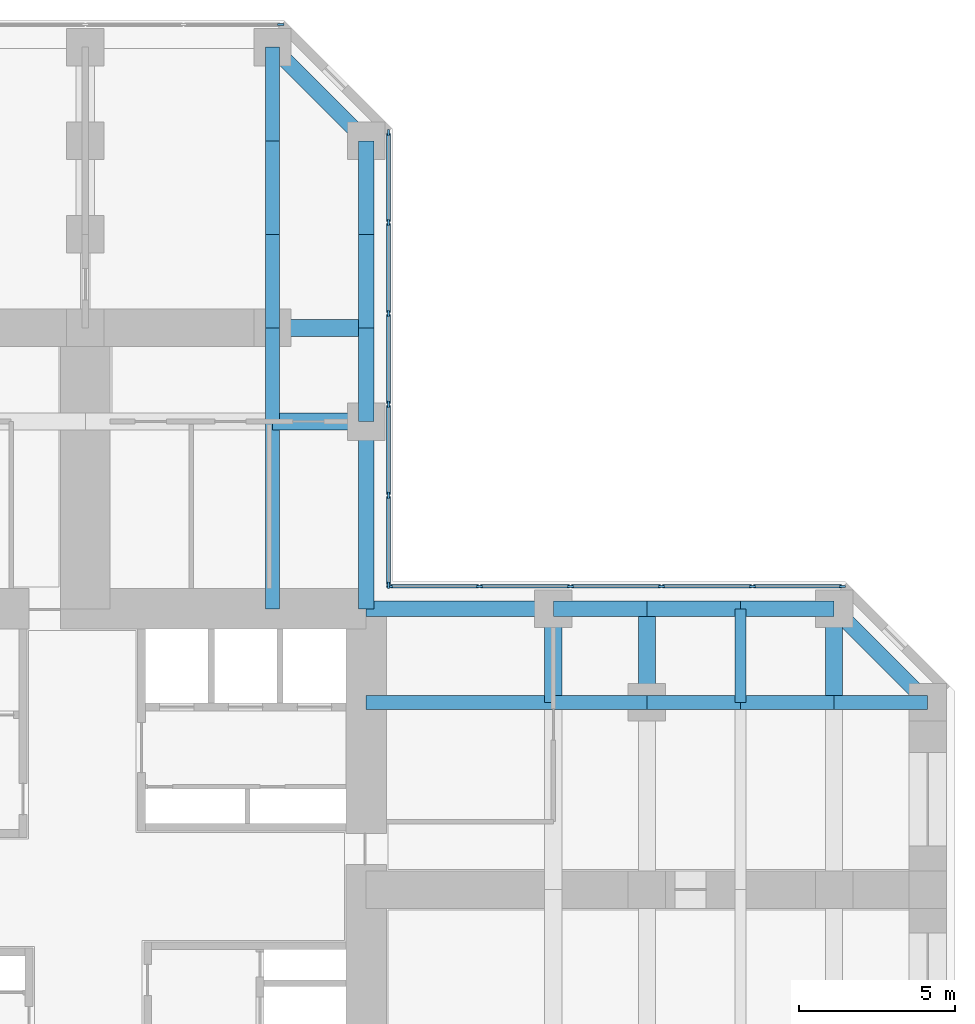
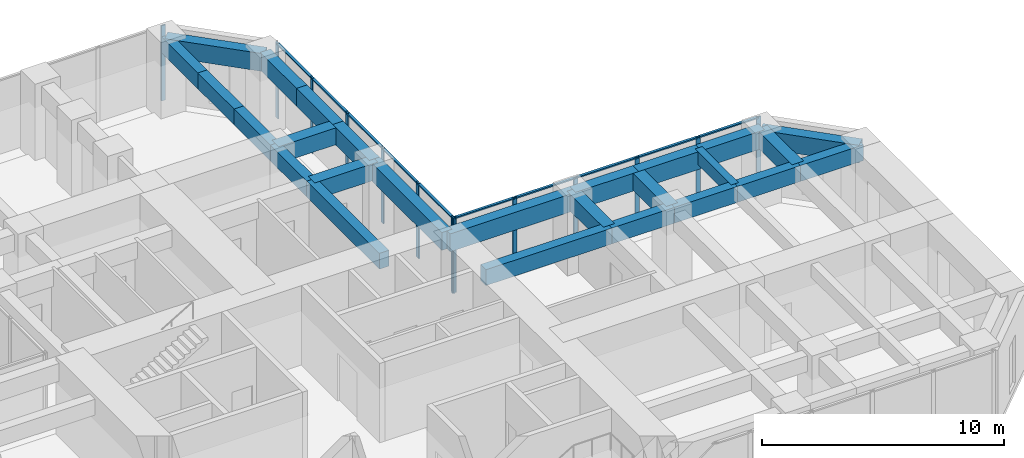
# One storey, part 6 of 12: 26 beams, 23 members, 3 elements without a shape of their own.
"""IFC4 building model written with IfcOpenShell, lengths in metres."""

from ifc_helpers import new_model, si_unit, direction, frame, origin, origin_2d, place, context, subcontext, project, spatial, rectangle, extrude, material, material_profile, profile_set, type_object, element, aggregate, save


model = new_model("IFC4")

# Units and contexts
model_context = context("Model", 3, precision=1e-05, world=origin(), true_north=direction((0.0, 1.0)))
body_context = subcontext(model_context, "Body", "Model", "MODEL_VIEW")
ifc_project = project(units=[si_unit("LENGTHUNIT", "METRE"), si_unit("AREAUNIT", "SQUARE_METRE"), si_unit("VOLUMEUNIT", "CUBIC_METRE"), si_unit("PLANEANGLEUNIT", "RADIAN"), si_unit("MASSUNIT", "GRAM", prefix="KILO")], contexts=[model_context])

# Site, building, storey
site_placement = place(None, origin())
site = spatial("IfcSite", under=ifc_project, at=site_placement, CompositionType="ELEMENT")
building_placement = place(site_placement, origin())
building = spatial("IfcBuilding", under=site, at=building_placement, Name="Torre Cruceta", CompositionType="ELEMENT")
storey_placement = place(building_placement, frame((0.0, 0.0, 75.5)))
storey = spatial("IfcBuildingStorey", under=building, at=storey_placement, Name="L18", CompositionType="ELEMENT", Elevation=75.5)

# Beams
ifc_material_1 = material(Name="Concrete G60 (fck 60 MPa)", Category="concrete")
ifc_material_profile_1 = material_profile(ifc_material_1, rectangle(XDim=0.449951171875, YDim=0.800048828125, at=origin_2d()), Name="RC 450X800")
ifc_profile_set_1 = profile_set([ifc_material_profile_1], Name="Concrete G60 (fck 60 MPa)")
beam_type_1 = type_object("IfcBeamType", Name="COLUMN LINE BEAM RC 450X800", PredefinedType="BEAM", material=ifc_profile_set_1)
beam_1_placement = place(storey_placement, frame((6.0, 9.0, 3.39990234375), z_axis=(0.0, 1.0, 0.0), x_axis=(-1.0, 0.0, 0.0)))
element("IfcBeam", 1, at=beam_1_placement, inside=storey, type_object=beam_type_1, Name="LB1 L18 N col- 1", PredefinedType="BEAM", context=body_context, shape_type="SweptSolid", body=[
    extrude(rectangle(XDim=0.449951171875, YDim=0.800048828125, at=origin_2d()), origin(), (0.0, 0.0, 1.0), 6.0),
])
for number, where, z_axis, x_axis, name in (
    (2, (6.0, 15.0, 3.39990234375), (0.0, 1.0, 0.0), (-1.0, 0.0, 0.0), "LB1 L18 N col- 2"),
    (3, (6.0, 18.0, 3.39990234375), (0.0, 1.0, 0.0), (-1.0, 0.0, 0.0), "LB1 L18 N col- 3"),
    (4, (6.0, 21.0, 3.39990234375), (0.0, 1.0, 0.0), (-1.0, 0.0, 0.0), "LB1 L18 N col- 4"),
    (5, (6.0, 24.0, 3.39990234375), (0.0, 1.0, 0.0), (-1.0, 0.0, 0.0), "LB1 L18 N col- 5"),
):
    element("IfcBeam", number, at=place(storey_placement, frame(where, z_axis=z_axis, x_axis=x_axis)), inside=storey, type_object=beam_type_1, Name=name, PredefinedType="BEAM", context=body_context, shape_type="SweptSolid", body=[
        extrude(rectangle(XDim=0.449951171875, YDim=0.800048828125, at=origin_2d()), origin(), (0.0, 0.0, 1.0), 3.0),
    ])
beam_2_placement = place(storey_placement, frame((9.0, 6.0, 3.39990234375), z_axis=(1.0, 0.0, 0.0), x_axis=(0.0, 1.0, 0.0)))
element("IfcBeam", 6, at=beam_2_placement, inside=storey, type_object=beam_type_1, Name="LB1 L18 E col+ 1", PredefinedType="BEAM", context=body_context, shape_type="SweptSolid", body=[
    extrude(rectangle(XDim=0.449951171875, YDim=0.800048828125, at=origin_2d()), origin(), (0.0, 0.0, 1.0), 6.0),
])
for number, where, z_axis, x_axis, name in (
    (7, (15.0, 6.0, 3.39990234375), (1.0, 0.0, 0.0), (0.0, 1.0, 0.0), "LB1 L18 E col+ 2"),
    (8, (18.0, 6.0, 3.39990234375), (1.0, 0.0, 0.0), (0.0, 1.0, 0.0), "LB1 L18 E col+ 3"),
    (9, (21.0, 6.0, 3.39990234375), (1.0, 0.0, 0.0), (0.0, 1.0, 0.0), "LB1 L18 E col+ 4"),
    (10, (24.0, 6.0, 3.39990234375), (1.0, 0.0, 0.0), (0.0, 1.0, 0.0), "LB1 L18 E col+ 5"),
):
    element("IfcBeam", number, at=place(storey_placement, frame(where, z_axis=z_axis, x_axis=x_axis)), inside=storey, type_object=beam_type_1, Name=name, PredefinedType="BEAM", context=body_context, shape_type="SweptSolid", body=[
        extrude(rectangle(XDim=0.449951171875, YDim=0.800048828125, at=origin_2d()), origin(), (0.0, 0.0, 1.0), 3.0),
    ])
ifc_material_2 = material(Name="Concrete G60 (fck 60 MPa)", Category="concrete")
ifc_material_profile_2 = material_profile(ifc_material_2, rectangle(XDim=0.550048828125, YDim=0.85009765625, at=origin_2d()), Name="RC 550X850")
ifc_profile_set_2 = profile_set([ifc_material_profile_2], Name="Concrete G60 (fck 60 MPa)")
beam_type_2 = type_object("IfcBeamType", Name="CROSS BEAM RC 550X850", PredefinedType="BEAM", material=ifc_profile_set_2)
for number, where, z_axis, x_axis, name in (
    (11, (9.0, 15.0, 3.375), (-1.0, 0.0, 0.0), (0.0, -1.0, 0.0), "GB4 L18 N cross15 1"),
    (12, (9.0, 18.0, 3.375), (-1.0, 0.0, 0.0), (0.0, -1.0, 0.0), "GB4 L18 N cross18 1"),
    (13, (15.0, 6.0, 3.375), (0.0, 1.0, 0.0), (-1.0, 0.0, 0.0), "GB4 L18 E cross15 4"),
    (14, (18.0, 6.0, 3.375), (0.0, 1.0, 0.0), (-1.0, 0.0, 0.0), "GB4 L18 E cross18 4"),
    (15, (24.0, 6.0, 3.375), (0.0, 1.0, 0.0), (-1.0, 0.0, 0.0), "GB4 L18 E cross24 4"),
):
    element("IfcBeam", number, at=place(storey_placement, frame(where, z_axis=z_axis, x_axis=x_axis)), inside=storey, type_object=beam_type_2, Name=name, PredefinedType="BEAM", context=body_context, shape_type="SweptSolid", body=[
        extrude(rectangle(XDim=0.550048828125, YDim=0.85009765625, at=origin_2d()), origin(), (0.0, 0.0, 1.0), 3.0),
    ])

# Curtain wall, members
ifc_material_3 = material(Name="Aluminium unitised curtain wall", Category="aluminium")
curtain_wall_type = type_object("IfcCurtainWallType", Name="CURTAIN WALL CW-A OFFICE LOW RISE", PredefinedType="USERDEFINED", material=ifc_material_3)
curtain_wall_1_placement = place(storey_placement, origin())
curtain_wall_1 = element("IfcCurtainWall", 16, at=curtain_wall_1_placement, inside=storey, type_object=curtain_wall_type, Name="CW-A L18 E side 04", ObjectType="UNITISED", PredefinedType="USERDEFINED")
ifc_material_4 = material(Name="Aluminium mullion", Category="aluminium")
ifc_material_profile_3 = material_profile(ifc_material_4, rectangle(XDim=0.06494140625, YDim=0.199951171875, at=origin_2d()), Name="AL 65X200")
ifc_profile_set_3 = profile_set([ifc_material_profile_3], Name="Aluminium mullion")
member_type_1 = type_object("IfcMemberType", Name="CW-A MULLION 65X200", PredefinedType="MULLION", material=ifc_profile_set_3)
member_1_placement = place(storey_placement, frame((24.265625, 9.719970703125, 0.0), z_axis=(0.0, 0.0, 1.0), x_axis=(0.0, -1.0, 0.0)))
member_1 = element("IfcMember", 17, at=member_1_placement, type_object=member_type_1, Name="CW-A mullion 1", PredefinedType="MULLION", context=body_context, shape_type="SweptSolid", body=[
    extrude(rectangle(XDim=0.06494140625, YDim=0.199951171875, at=origin_2d()), origin(), (0.0, 0.0, 1.0), 3.800048828125),
])
member_2_placement = place(storey_placement, frame((21.382568359375, 9.719970703125, 0.0), z_axis=(0.0, 0.0, 1.0), x_axis=(0.0, -1.0, 0.0)))
member_2 = element("IfcMember", 18, at=member_2_placement, type_object=member_type_1, Name="CW-A mullion 2", PredefinedType="MULLION", context=body_context, shape_type="SweptSolid", body=[
    extrude(rectangle(XDim=0.06494140625, YDim=0.199951171875, at=origin_2d()), origin(), (0.0, 0.0, 1.0), 3.800048828125),
])
member_3_placement = place(storey_placement, frame((18.467041015625, 9.719970703125, 0.0), z_axis=(0.0, 0.0, 1.0), x_axis=(0.0, -1.0, 0.0)))
member_3 = element("IfcMember", 19, at=member_3_placement, type_object=member_type_1, Name="CW-A mullion 3", PredefinedType="MULLION", context=body_context, shape_type="SweptSolid", body=[
    extrude(rectangle(XDim=0.06494140625, YDim=0.199951171875, at=origin_2d()), origin(), (0.0, 0.0, 1.0), 3.800048828125),
])
member_4_placement = place(storey_placement, frame((15.55126953125, 9.719970703125, 0.0), z_axis=(0.0, 0.0, 1.0), x_axis=(0.0, -1.0, 0.0)))
member_4 = element("IfcMember", 20, at=member_4_placement, type_object=member_type_1, Name="CW-A mullion 4", PredefinedType="MULLION", context=body_context, shape_type="SweptSolid", body=[
    extrude(rectangle(XDim=0.06494140625, YDim=0.199951171875, at=origin_2d()), origin(), (0.0, 0.0, 1.0), 3.800048828125),
])
member_5_placement = place(storey_placement, frame((12.6357421875, 9.719970703125, 0.0), z_axis=(0.0, 0.0, 1.0), x_axis=(0.0, -1.0, 0.0)))
member_5 = element("IfcMember", 21, at=member_5_placement, type_object=member_type_1, Name="CW-A mullion 5", PredefinedType="MULLION", context=body_context, shape_type="SweptSolid", body=[
    extrude(rectangle(XDim=0.06494140625, YDim=0.199951171875, at=origin_2d()), origin(), (0.0, 0.0, 1.0), 3.800048828125),
])
member_6_placement = place(storey_placement, frame((9.75244140625, 9.719970703125, 0.0), z_axis=(0.0, 0.0, 1.0), x_axis=(0.0, -1.0, 0.0)))
member_6 = element("IfcMember", 22, at=member_6_placement, type_object=member_type_1, Name="CW-A mullion 6", PredefinedType="MULLION", context=body_context, shape_type="SweptSolid", body=[
    extrude(rectangle(XDim=0.06494140625, YDim=0.199951171875, at=origin_2d()), origin(), (0.0, 0.0, 1.0), 3.800048828125),
])

curtain_wall_2_placement = place(storey_placement, origin())
curtain_wall_2 = element("IfcCurtainWall", 23, at=curtain_wall_2_placement, inside=storey, type_object=curtain_wall_type, Name="CW-A L18 N side 05", ObjectType="UNITISED", PredefinedType="USERDEFINED")
member_7_placement = place(storey_placement, frame((9.719970703125, 9.75244140625, 0.0), z_axis=(0.0, 0.0, 1.0), x_axis=(-1.0, 0.0, 0.0)))
member_7 = element("IfcMember", 24, at=member_7_placement, type_object=member_type_1, Name="CW-A mullion 1", PredefinedType="MULLION", context=body_context, shape_type="SweptSolid", body=[
    extrude(rectangle(XDim=0.06494140625, YDim=0.199951171875, at=origin_2d()), origin(), (0.0, 0.0, 1.0), 3.800048828125),
])
member_8_placement = place(storey_placement, frame((9.719970703125, 12.6357421875, 0.0), z_axis=(0.0, 0.0, 1.0), x_axis=(-1.0, 0.0, 0.0)))
member_8 = element("IfcMember", 25, at=member_8_placement, type_object=member_type_1, Name="CW-A mullion 2", PredefinedType="MULLION", context=body_context, shape_type="SweptSolid", body=[
    extrude(rectangle(XDim=0.06494140625, YDim=0.199951171875, at=origin_2d()), origin(), (0.0, 0.0, 1.0), 3.800048828125),
])
member_9_placement = place(storey_placement, frame((9.719970703125, 15.55126953125, 0.0), z_axis=(0.0, 0.0, 1.0), x_axis=(-1.0, 0.0, 0.0)))
member_9 = element("IfcMember", 26, at=member_9_placement, type_object=member_type_1, Name="CW-A mullion 3", PredefinedType="MULLION", context=body_context, shape_type="SweptSolid", body=[
    extrude(rectangle(XDim=0.06494140625, YDim=0.199951171875, at=origin_2d()), origin(), (0.0, 0.0, 1.0), 3.800048828125),
])
member_10_placement = place(storey_placement, frame((9.719970703125, 18.467041015625, 0.0), z_axis=(0.0, 0.0, 1.0), x_axis=(-1.0, 0.0, 0.0)))
member_10 = element("IfcMember", 27, at=member_10_placement, type_object=member_type_1, Name="CW-A mullion 4", PredefinedType="MULLION", context=body_context, shape_type="SweptSolid", body=[
    extrude(rectangle(XDim=0.06494140625, YDim=0.199951171875, at=origin_2d()), origin(), (0.0, 0.0, 1.0), 3.800048828125),
])
member_11_placement = place(storey_placement, frame((9.719970703125, 21.382568359375, 0.0), z_axis=(0.0, 0.0, 1.0), x_axis=(-1.0, 0.0, 0.0)))
member_11 = element("IfcMember", 28, at=member_11_placement, type_object=member_type_1, Name="CW-A mullion 5", PredefinedType="MULLION", context=body_context, shape_type="SweptSolid", body=[
    extrude(rectangle(XDim=0.06494140625, YDim=0.199951171875, at=origin_2d()), origin(), (0.0, 0.0, 1.0), 3.800048828125),
])
member_12_placement = place(storey_placement, frame((9.719970703125, 24.265625, 0.0), z_axis=(0.0, 0.0, 1.0), x_axis=(-1.0, 0.0, 0.0)))
member_12 = element("IfcMember", 29, at=member_12_placement, type_object=member_type_1, Name="CW-A mullion 6", PredefinedType="MULLION", context=body_context, shape_type="SweptSolid", body=[
    extrude(rectangle(XDim=0.06494140625, YDim=0.199951171875, at=origin_2d()), origin(), (0.0, 0.0, 1.0), 3.800048828125),
])

# Curtain wall, member
curtain_wall_3_placement = place(storey_placement, origin())
curtain_wall_3 = element("IfcCurtainWall", 30, at=curtain_wall_3_placement, inside=storey, type_object=curtain_wall_type, Name="CW-A L18 N tip 07", ObjectType="UNITISED", PredefinedType="USERDEFINED")
member_13_placement = place(storey_placement, frame((6.265625, 27.719970703125, 0.0), z_axis=(0.0, 0.0, 1.0), x_axis=(0.0, -1.0, 0.0)))
member_13 = element("IfcMember", 31, at=member_13_placement, type_object=member_type_1, Name="CW-A mullion 1", PredefinedType="MULLION", context=body_context, shape_type="SweptSolid", body=[
    extrude(rectangle(XDim=0.06494140625, YDim=0.199951171875, at=origin_2d()), origin(), (0.0, 0.0, 1.0), 3.800048828125),
])
aggregate(curtain_wall_3, [member_13])

# Member
ifc_material_5 = material(Name="Aluminium transom", Category="aluminium")
ifc_material_profile_4 = material_profile(ifc_material_5, rectangle(XDim=0.1201171875, YDim=0.06494140625, at=origin_2d()), Name="AL 120X65")
ifc_profile_set_4 = profile_set([ifc_material_profile_4], Name="Aluminium transom")
member_type_2 = type_object("IfcMemberType", Name="CW-A TRANSOM 65X120", PredefinedType="USERDEFINED", material=ifc_profile_set_4)
member_14_placement = place(storey_placement, frame((24.233154296875, 9.719970703125, 3.767578125), z_axis=(-1.0, 0.0, 0.0), x_axis=(0.0, -1.0, 0.0)))
member_14 = element("IfcMember", 32, at=member_14_placement, type_object=member_type_2, Name="CW-A transom 1", ObjectType="TRANSOM", PredefinedType="USERDEFINED", context=body_context, shape_type="SweptSolid", body=[
    extrude(rectangle(XDim=0.1201171875, YDim=0.06494140625, at=origin_2d()), origin(), (0.0, 0.0, 1.0), 2.818115234375),
])

member_15_placement = place(storey_placement, frame((21.35009765625, 9.719970703125, 3.767578125), z_axis=(-1.0, 0.0, 0.0), x_axis=(0.0, -1.0, 0.0)))
member_15 = element("IfcMember", 33, at=member_15_placement, type_object=member_type_2, Name="CW-A transom 2", ObjectType="TRANSOM", PredefinedType="USERDEFINED", context=body_context, shape_type="SweptSolid", body=[
    extrude(rectangle(XDim=0.1201171875, YDim=0.06494140625, at=origin_2d()), origin(), (0.0, 0.0, 1.0), 2.8505859375),
])

member_16_placement = place(storey_placement, frame((18.434326171875, 9.719970703125, 3.767578125), z_axis=(-1.0, 0.0, 0.0), x_axis=(0.0, -1.0, 0.0)))
member_16 = element("IfcMember", 34, at=member_16_placement, type_object=member_type_2, Name="CW-A transom 3", ObjectType="TRANSOM", PredefinedType="USERDEFINED", context=body_context, shape_type="SweptSolid", body=[
    extrude(rectangle(XDim=0.1201171875, YDim=0.06494140625, at=origin_2d()), origin(), (0.0, 0.0, 1.0), 2.8505859375),
])

member_17_placement = place(storey_placement, frame((15.518798828125, 9.719970703125, 3.767578125), z_axis=(-1.0, 0.0, 0.0), x_axis=(0.0, -1.0, 0.0)))
member_17 = element("IfcMember", 35, at=member_17_placement, type_object=member_type_2, Name="CW-A transom 4", ObjectType="TRANSOM", PredefinedType="USERDEFINED", context=body_context, shape_type="SweptSolid", body=[
    extrude(rectangle(XDim=0.1201171875, YDim=0.06494140625, at=origin_2d()), origin(), (0.0, 0.0, 1.0), 2.8505859375),
])

member_18_placement = place(storey_placement, frame((12.60302734375, 9.719970703125, 3.767578125), z_axis=(-1.0, 0.0, 0.0), x_axis=(0.0, -1.0, 0.0)))
member_18 = element("IfcMember", 36, at=member_18_placement, type_object=member_type_2, Name="CW-A transom 5", ObjectType="TRANSOM", PredefinedType="USERDEFINED", context=body_context, shape_type="SweptSolid", body=[
    extrude(rectangle(XDim=0.1201171875, YDim=0.06494140625, at=origin_2d()), origin(), (0.0, 0.0, 1.0), 2.818115234375),
])

aggregate(curtain_wall_1, [member_1, member_2, member_3, member_4, member_5, member_6, member_14, member_15, member_16, member_17, member_18])

member_19_placement = place(storey_placement, frame((9.719970703125, 9.784912109375, 3.767578125), z_axis=(0.0, 1.0, 0.0), x_axis=(-1.0, 0.0, 0.0)))
member_19 = element("IfcMember", 37, at=member_19_placement, type_object=member_type_2, Name="CW-A transom 1", ObjectType="TRANSOM", PredefinedType="USERDEFINED", context=body_context, shape_type="SweptSolid", body=[
    extrude(rectangle(XDim=0.1201171875, YDim=0.06494140625, at=origin_2d()), origin(), (0.0, 0.0, 1.0), 2.818115234375),
])

member_20_placement = place(storey_placement, frame((9.719970703125, 12.668212890625, 3.767578125), z_axis=(0.0, 1.0, 0.0), x_axis=(-1.0, 0.0, 0.0)))
member_20 = element("IfcMember", 38, at=member_20_placement, type_object=member_type_2, Name="CW-A transom 2", ObjectType="TRANSOM", PredefinedType="USERDEFINED", context=body_context, shape_type="SweptSolid", body=[
    extrude(rectangle(XDim=0.1201171875, YDim=0.06494140625, at=origin_2d()), origin(), (0.0, 0.0, 1.0), 2.8505859375),
])

member_21_placement = place(storey_placement, frame((9.719970703125, 15.583740234375, 3.767578125), z_axis=(0.0, 1.0, 0.0), x_axis=(-1.0, 0.0, 0.0)))
member_21 = element("IfcMember", 39, at=member_21_placement, type_object=member_type_2, Name="CW-A transom 3", ObjectType="TRANSOM", PredefinedType="USERDEFINED", context=body_context, shape_type="SweptSolid", body=[
    extrude(rectangle(XDim=0.1201171875, YDim=0.06494140625, at=origin_2d()), origin(), (0.0, 0.0, 1.0), 2.8505859375),
])

member_22_placement = place(storey_placement, frame((9.719970703125, 18.49951171875, 3.767578125), z_axis=(0.0, 1.0, 0.0), x_axis=(-1.0, 0.0, 0.0)))
member_22 = element("IfcMember", 40, at=member_22_placement, type_object=member_type_2, Name="CW-A transom 4", ObjectType="TRANSOM", PredefinedType="USERDEFINED", context=body_context, shape_type="SweptSolid", body=[
    extrude(rectangle(XDim=0.1201171875, YDim=0.06494140625, at=origin_2d()), origin(), (0.0, 0.0, 1.0), 2.8505859375),
])

member_23_placement = place(storey_placement, frame((9.719970703125, 21.4150390625, 3.767578125), z_axis=(0.0, 1.0, 0.0), x_axis=(-1.0, 0.0, 0.0)))
member_23 = element("IfcMember", 41, at=member_23_placement, type_object=member_type_2, Name="CW-A transom 5", ObjectType="TRANSOM", PredefinedType="USERDEFINED", context=body_context, shape_type="SweptSolid", body=[
    extrude(rectangle(XDim=0.1201171875, YDim=0.06494140625, at=origin_2d()), origin(), (0.0, 0.0, 1.0), 2.818115234375),
])

aggregate(curtain_wall_2, [member_7, member_8, member_9, member_10, member_11, member_12, member_19, member_20, member_21, member_22, member_23])

# Beams
ifc_material_6 = material(Name="Concrete G60 (fck 60 MPa)", Category="concrete")
ifc_material_profile_5 = material_profile(ifc_material_6, rectangle(XDim=0.35009765625, YDim=0.64990234375, at=origin_2d()), Name="RC 350X650")
ifc_profile_set_5 = profile_set([ifc_material_profile_5], Name="Concrete G60 (fck 60 MPa)")
beam_type_3 = type_object("IfcBeamType", Name="SECONDARY BEAM RC 350X650", PredefinedType="JOIST", material=ifc_profile_set_5)
beam_3_placement = place(storey_placement, frame((21.0, 6.0, 3.47509765625), z_axis=(0.0, 1.0, 0.0), x_axis=(-1.0, 0.0, 0.0)))
element("IfcBeam", 42, at=beam_3_placement, inside=storey, type_object=beam_type_3, Name="JB3 L18 E sec21 4", PredefinedType="JOIST", context=body_context, shape_type="SweptSolid", body=[
    extrude(rectangle(XDim=0.35009765625, YDim=0.64990234375, at=origin_2d()), origin(), (0.0, 0.0, 1.0), 3.0),
])
ifc_material_7 = material(Name="Concrete G60 (fck 60 MPa)", Category="concrete")
ifc_material_profile_6 = material_profile(ifc_material_7, rectangle(XDim=0.5, YDim=0.89990234375, at=origin_2d()), Name="RC 500X900")
ifc_profile_set_6 = profile_set([ifc_material_profile_6], Name="Concrete G60 (fck 60 MPa)")
beam_type_4 = type_object("IfcBeamType", Name="SPANDREL BEAM RC 500X900", PredefinedType="SPANDREL", material=ifc_profile_set_6)
beam_4_placement = place(storey_placement, frame((9.0, 9.0, 3.35009765625), z_axis=(0.0, 1.0, 0.0), x_axis=(-1.0, 0.0, 0.0)))
element("IfcBeam", 43, at=beam_4_placement, inside=storey, type_object=beam_type_4, Name="SB4 L18 N side- 1", PredefinedType="SPANDREL", context=body_context, shape_type="SweptSolid", body=[
    extrude(rectangle(XDim=0.5, YDim=0.89990234375, at=origin_2d()), origin(), (0.0, 0.0, 1.0), 6.0),
])
for number, where, z_axis, x_axis, name in (
    (44, (9.0, 15.0, 3.35009765625), (0.0, 1.0, 0.0), (-1.0, 0.0, 0.0), "SB4 L18 N side- 2"),
    (45, (9.0, 18.0, 3.35009765625), (0.0, 1.0, 0.0), (-1.0, 0.0, 0.0), "SB4 L18 N side- 3"),
    (46, (9.0, 21.0, 3.35009765625), (0.0, 1.0, 0.0), (-1.0, 0.0, 0.0), "SB4 L18 N side- 4"),
):
    element("IfcBeam", number, at=place(storey_placement, frame(where, z_axis=z_axis, x_axis=x_axis)), inside=storey, type_object=beam_type_4, Name=name, PredefinedType="SPANDREL", context=body_context, shape_type="SweptSolid", body=[
        extrude(rectangle(XDim=0.5, YDim=0.89990234375, at=origin_2d()), origin(), (0.0, 0.0, 1.0), 3.0),
    ])
beam_5_placement = place(storey_placement, frame((9.0, 24.0, 3.35009765625), z_axis=(-0.707106781187, 0.707106781187, 0.0), x_axis=(-0.707106781187, -0.707106781187, 0.0)))
element("IfcBeam", 47, at=beam_5_placement, inside=storey, type_object=beam_type_4, Name="SB4 L18 N side- 5", PredefinedType="SPANDREL", context=body_context, shape_type="SweptSolid", body=[
    extrude(rectangle(XDim=0.5, YDim=0.89990234375, at=origin_2d()), origin(), (0.0, 0.0, 1.0), 4.24267578125),
])
beam_6_placement = place(storey_placement, frame((9.0, 9.0, 3.35009765625), z_axis=(1.0, 0.0, 0.0), x_axis=(0.0, 1.0, 0.0)))
element("IfcBeam", 48, at=beam_6_placement, inside=storey, type_object=beam_type_4, Name="SB4 L18 E side+ 1", PredefinedType="SPANDREL", context=body_context, shape_type="SweptSolid", body=[
    extrude(rectangle(XDim=0.5, YDim=0.89990234375, at=origin_2d()), origin(), (0.0, 0.0, 1.0), 6.0),
])
for number, where, z_axis, x_axis, name in (
    (49, (15.0, 9.0, 3.35009765625), (1.0, 0.0, 0.0), (0.0, 1.0, 0.0), "SB4 L18 E side+ 2"),
    (50, (18.0, 9.0, 3.35009765625), (1.0, 0.0, 0.0), (0.0, 1.0, 0.0), "SB4 L18 E side+ 3"),
    (51, (21.0, 9.0, 3.35009765625), (1.0, 0.0, 0.0), (0.0, 1.0, 0.0), "SB4 L18 E side+ 4"),
):
    element("IfcBeam", number, at=place(storey_placement, frame(where, z_axis=z_axis, x_axis=x_axis)), inside=storey, type_object=beam_type_4, Name=name, PredefinedType="SPANDREL", context=body_context, shape_type="SweptSolid", body=[
        extrude(rectangle(XDim=0.5, YDim=0.89990234375, at=origin_2d()), origin(), (0.0, 0.0, 1.0), 3.0),
    ])
beam_7_placement = place(storey_placement, frame((24.0, 9.0, 3.35009765625), z_axis=(0.707106781187, -0.707106781187, 0.0), x_axis=(0.707106781187, 0.707106781187, 0.0)))
element("IfcBeam", 52, at=beam_7_placement, inside=storey, type_object=beam_type_4, Name="SB4 L18 E side+ 5", PredefinedType="SPANDREL", context=body_context, shape_type="SweptSolid", body=[
    extrude(rectangle(XDim=0.5, YDim=0.89990234375, at=origin_2d()), origin(), (0.0, 0.0, 1.0), 4.24267578125),
])

save(model, "model.ifc")
